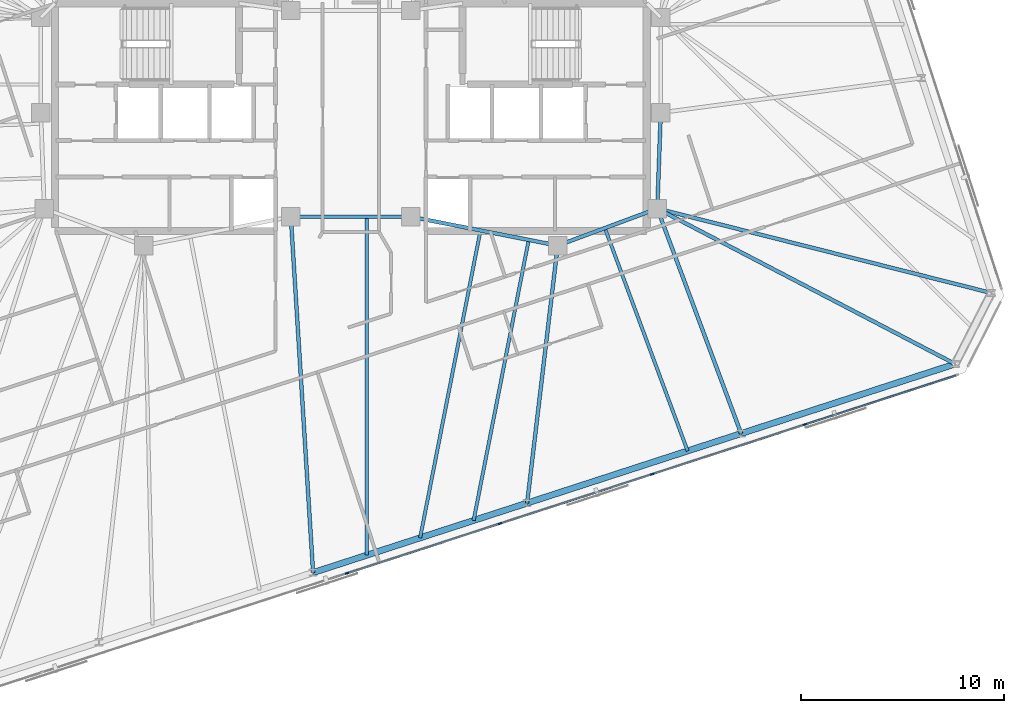
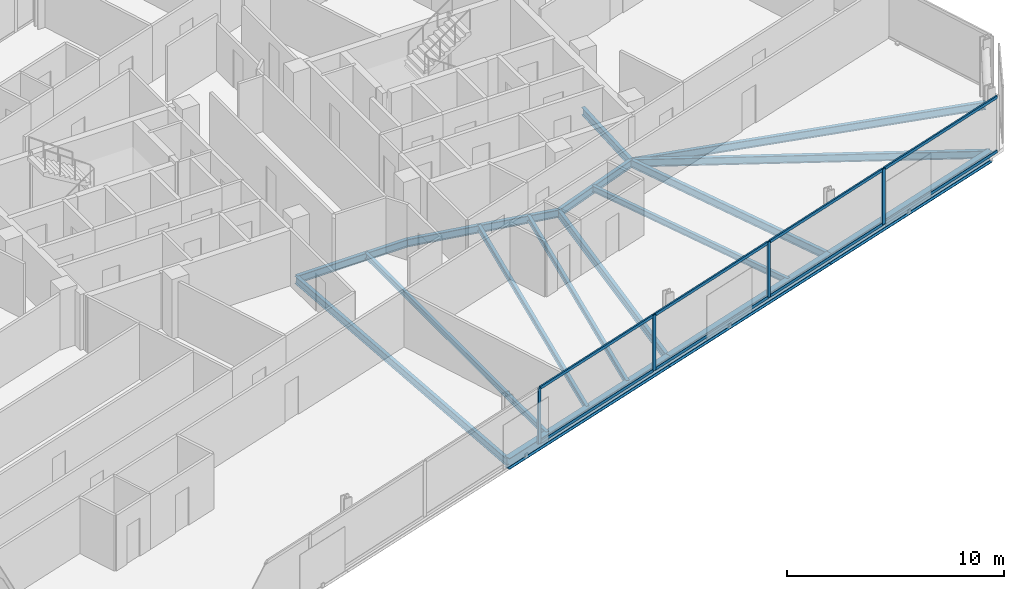
# One storey, part 7 of 19: 16 beams, 12 members, 1 element without a shape of its own.
"""IFC4 building model written with IfcOpenShell, lengths in metres."""

from ifc_helpers import new_model, si_unit, direction, frame, origin, origin_2d, place, context, subcontext, project, spatial, rectangle, i_section, extrude, material, material_profile, profile_set, type_object, element, aggregate, save


model = new_model("IFC4")

# Units and contexts
model_context = context("Model", 3, precision=1e-05, world=origin(), true_north=direction((0.0, 1.0)))
body_context = subcontext(model_context, "Body", "Model", "MODEL_VIEW")
ifc_project = project(units=[si_unit("LENGTHUNIT", "METRE"), si_unit("AREAUNIT", "SQUARE_METRE"), si_unit("VOLUMEUNIT", "CUBIC_METRE"), si_unit("PLANEANGLEUNIT", "RADIAN"), si_unit("MASSUNIT", "GRAM", prefix="KILO")], contexts=[model_context])

# Site, building, storey
site_placement = place(None, origin())
site = spatial("IfcSite", under=ifc_project, at=site_placement, CompositionType="ELEMENT")
building_placement = place(site_placement, origin())
building = spatial("IfcBuilding", under=site, at=building_placement, Name="Menara Jurai Vektor", CompositionType="ELEMENT")
storey_placement = place(building_placement, frame((0.0, 0.0, 231.0)))
storey = spatial("IfcBuildingStorey", under=building, at=storey_placement, Name="L61", CompositionType="ELEMENT", Elevation=231.0)

# Curtain wall, members
ifc_material_1 = material(Name="Anodised Pale Aluminium & Low-E Double Glazing", Category="aluminium")
curtain_wall_type = type_object("IfcCurtainWallType", Name="CW-BLK4", PredefinedType="NOTDEFINED", material=ifc_material_1)
curtain_wall_placement = place(storey_placement, origin())
curtain_wall = element("IfcCurtainWall", 1, at=curtain_wall_placement, inside=storey, type_object=curtain_wall_type, Name="Unitised Curtain Wall L61 F07", PredefinedType="NOTDEFINED")
ifc_material_2 = material(Name="Anodised Pale Aluminium Mullion", Category="aluminium")
ifc_material_profile_1 = material_profile(ifc_material_2, rectangle(XDim=0.080078125, YDim=0.18994140625, at=origin_2d()), Name="ALU MUL 80x190")
ifc_profile_set_1 = profile_set([ifc_material_profile_1], Name="Anodised Pale Aluminium Mullion")
member_type_1 = type_object("IfcMemberType", Name="CW-BLK4-MUL", PredefinedType="MULLION", material=ifc_profile_set_1)
member_1_placement = place(storey_placement, frame((-0.17236328125, -22.4404296875, 0.0), z_axis=(0.0, 0.0, 1.0), x_axis=(-0.309017344167, 0.951056402641, 0.0)))
member_1 = element("IfcMember", 2, at=member_1_placement, type_object=member_type_1, Name="CW-04 mullion 4", PredefinedType="MULLION", context=body_context, shape_type="SweptSolid", body=[
    extrude(rectangle(XDim=0.080078125, YDim=0.18994140625, at=origin_2d()), origin(), (0.0, 0.0, 1.0), 3.125),
])
member_2_placement = place(storey_placement, frame((7.3330078125, -20.001953125, 0.0), z_axis=(0.0, 0.0, 1.0), x_axis=(-0.309017344167, 0.951056402641, 0.0)))
member_2 = element("IfcMember", 3, at=member_2_placement, type_object=member_type_1, Name="CW-04 mullion 5", PredefinedType="MULLION", context=body_context, shape_type="SweptSolid", body=[
    extrude(rectangle(XDim=0.080078125, YDim=0.18994140625, at=origin_2d()), origin(), (0.0, 0.0, 1.0), 3.125),
])
member_3_placement = place(storey_placement, frame((14.838134765625, -17.563232421875, 0.0), z_axis=(0.0, 0.0, 1.0), x_axis=(-0.309017344167, 0.951056402641, 0.0)))
member_3 = element("IfcMember", 4, at=member_3_placement, type_object=member_type_1, Name="CW-04 mullion 6", PredefinedType="MULLION", context=body_context, shape_type="SweptSolid", body=[
    extrude(rectangle(XDim=0.080078125, YDim=0.18994140625, at=origin_2d()), origin(), (0.0, 0.0, 1.0), 3.125),
])
member_4_placement = place(storey_placement, frame((22.34326171875, -15.124755859375, 0.0), z_axis=(0.0, 0.0, 1.0), x_axis=(-0.309017344167, 0.951056402641, 0.0)))
member_4 = element("IfcMember", 5, at=member_4_placement, type_object=member_type_1, Name="CW-04 mullion 7", PredefinedType="MULLION", context=body_context, shape_type="SweptSolid", body=[
    extrude(rectangle(XDim=0.080078125, YDim=0.18994140625, at=origin_2d()), origin(), (0.0, 0.0, 1.0), 3.125),
])
ifc_material_3 = material(Name="Anodised Pale Aluminium Transom", Category="aluminium")
ifc_material_profile_2 = material_profile(ifc_material_3, rectangle(XDim=0.080078125, YDim=0.1650390625, at=origin_2d()), Name="ALU TRN 80x165")
ifc_profile_set_2 = profile_set([ifc_material_profile_2], Name="Anodised Pale Aluminium Transom")
member_type_2 = type_object("IfcMemberType", Name="CW-BLK4-TRN", PredefinedType="USERDEFINED", material=ifc_profile_set_2)
member_5_placement = place(storey_placement, frame((-0.13427734375, -22.427978515625, 0.0400390625), z_axis=(0.951059330237, 0.309008333817, 0.0), x_axis=(-0.309008333817, 0.951059330237, 0.0)))
member_5 = element("IfcMember", 6, at=member_5_placement, type_object=member_type_2, Name="CW-04 transom 4.1", ObjectType="TRANSOM", PredefinedType="USERDEFINED", context=body_context, shape_type="SweptSolid", body=[
    extrude(rectangle(XDim=0.080078125, YDim=0.1650390625, at=origin_2d()), origin(), (0.0, 0.0, 1.0), 7.8115234375),
])
member_6_placement = place(storey_placement, frame((-0.13427734375, -22.427978515625, 3.0849609375), z_axis=(0.951059330237, 0.309008333817, 0.0), x_axis=(-0.309008333817, 0.951059330237, 0.0)))
member_6 = element("IfcMember", 7, at=member_6_placement, type_object=member_type_2, Name="CW-04 transom 4.2", ObjectType="TRANSOM", PredefinedType="USERDEFINED", context=body_context, shape_type="SweptSolid", body=[
    extrude(rectangle(XDim=0.080078125, YDim=0.1650390625, at=origin_2d()), origin(), (0.0, 0.0, 1.0), 7.8115234375),
])
member_7_placement = place(storey_placement, frame((7.37109375, -19.989501953125, 0.0400390625), z_axis=(0.95105634578, 0.309017519167, 0.0), x_axis=(-0.309017519167, 0.95105634578, 0.0)))
member_7 = element("IfcMember", 8, at=member_7_placement, type_object=member_type_2, Name="CW-04 transom 5.1", ObjectType="TRANSOM", PredefinedType="USERDEFINED", context=body_context, shape_type="SweptSolid", body=[
    extrude(rectangle(XDim=0.080078125, YDim=0.1650390625, at=origin_2d()), origin(), (0.0, 0.0, 1.0), 7.811279296875),
])
member_8_placement = place(storey_placement, frame((7.37109375, -19.989501953125, 3.0849609375), z_axis=(0.95105634578, 0.309017519167, 0.0), x_axis=(-0.309017519167, 0.95105634578, 0.0)))
member_8 = element("IfcMember", 9, at=member_8_placement, type_object=member_type_2, Name="CW-04 transom 5.2", ObjectType="TRANSOM", PredefinedType="USERDEFINED", context=body_context, shape_type="SweptSolid", body=[
    extrude(rectangle(XDim=0.080078125, YDim=0.1650390625, at=origin_2d()), origin(), (0.0, 0.0, 1.0), 7.811279296875),
])
member_9_placement = place(storey_placement, frame((14.876220703125, -17.551025390625, 0.0400390625), z_axis=(0.95104715984, 0.309045789099, 0.0), x_axis=(-0.309045789099, 0.95104715984, 0.0)))
member_9 = element("IfcMember", 10, at=member_9_placement, type_object=member_type_2, Name="CW-04 transom 6.1", ObjectType="TRANSOM", PredefinedType="USERDEFINED", context=body_context, shape_type="SweptSolid", body=[
    extrude(rectangle(XDim=0.080078125, YDim=0.1650390625, at=origin_2d()), origin(), (0.0, 0.0, 1.0), 7.811279296875),
])
member_10_placement = place(storey_placement, frame((14.876220703125, -17.551025390625, 3.0849609375), z_axis=(0.95104715984, 0.309045789099, 0.0), x_axis=(-0.309045789099, 0.95104715984, 0.0)))
member_10 = element("IfcMember", 11, at=member_10_placement, type_object=member_type_2, Name="CW-04 transom 6.2", ObjectType="TRANSOM", PredefinedType="USERDEFINED", context=body_context, shape_type="SweptSolid", body=[
    extrude(rectangle(XDim=0.080078125, YDim=0.1650390625, at=origin_2d()), origin(), (0.0, 0.0, 1.0), 7.811279296875),
])
member_11_placement = place(storey_placement, frame((22.38134765625, -15.1123046875, 0.0400390625), z_axis=(0.951062230089, 0.308999408573, 0.0), x_axis=(-0.308999408573, 0.951062230089, 0.0)))
member_11 = element("IfcMember", 12, at=member_11_placement, type_object=member_type_2, Name="CW-04 transom 7.1", ObjectType="TRANSOM", PredefinedType="USERDEFINED", context=body_context, shape_type="SweptSolid", body=[
    extrude(rectangle(XDim=0.080078125, YDim=0.1650390625, at=origin_2d()), origin(), (0.0, 0.0, 1.0), 7.771484375),
])
member_12_placement = place(storey_placement, frame((22.38134765625, -15.1123046875, 3.0849609375), z_axis=(0.951062230089, 0.308999408573, 0.0), x_axis=(-0.308999408573, 0.951062230089, 0.0)))
member_12 = element("IfcMember", 13, at=member_12_placement, type_object=member_type_2, Name="CW-04 transom 7.2", ObjectType="TRANSOM", PredefinedType="USERDEFINED", context=body_context, shape_type="SweptSolid", body=[
    extrude(rectangle(XDim=0.080078125, YDim=0.1650390625, at=origin_2d()), origin(), (0.0, 0.0, 1.0), 7.771484375),
])
aggregate(curtain_wall, [member_1, member_2, member_3, member_4, member_5, member_6, member_7, member_8, member_9, member_10, member_11, member_12])

# Beams
ifc_material_4 = material(Name="Steel S355", Category="steel")
ifc_material_profile_3 = material_profile(ifc_material_4, i_section(OverallWidth=0.18505859375, OverallDepth=0.429931640625, WebThickness=0.010986328125, FlangeThickness=0.01806640625, at=origin_2d()), Name="PG 430x185x76")
ifc_profile_set_3 = profile_set([ifc_material_profile_3], Name="Steel S355")
beam_type_1 = type_object("IfcBeamType", Name="STR-BM-430", PredefinedType="BEAM", material=ifc_profile_set_3)
beam_1_placement = place(storey_placement, frame((15.080078125, -4.5, -0.43994140625), z_axis=(0.035977314146, 0.999352606874, 0.0), x_axis=(-0.999352606874, 0.035977314146, 0.0)))
element("IfcBeam", 14, at=beam_1_placement, inside=storey, type_object=beam_type_1, Name="Core Ring Header Girder L61-CHE-E2", PredefinedType="BEAM", context=body_context, shape_type="SweptSolid", body=[
    extrude(i_section(OverallWidth=0.18505859375, OverallDepth=0.429931640625, WebThickness=0.010986328125, FlangeThickness=0.01806640625, at=origin_2d()), origin(), (0.0, 0.0, 1.0), 4.72314453125),
])
beam_2_placement = place(storey_placement, frame((10.179931640625, -6.320068359375, -0.43994140625), z_axis=(0.937424400887, 0.348188874925, 0.0), x_axis=(-0.348188874925, 0.937424400887, 0.0)))
element("IfcBeam", 15, at=beam_2_placement, inside=storey, type_object=beam_type_1, Name="Core Ring Header Girder L61-CHE-S1", PredefinedType="BEAM", context=body_context, shape_type="SweptSolid", body=[
    extrude(i_section(OverallWidth=0.18505859375, OverallDepth=0.429931640625, WebThickness=0.010986328125, FlangeThickness=0.01806640625, at=origin_2d()), origin(), (0.0, 0.0, 1.0), 5.227294921875),
])
beam_3_placement = place(storey_placement, frame((2.949951171875, -4.89990234375, -0.43994140625), z_axis=(0.981249044334, -0.192744164614, 0.0), x_axis=(0.192744164614, 0.981249044334, 0.0)))
element("IfcBeam", 16, at=beam_3_placement, inside=storey, type_object=beam_type_1, Name="Core Ring Header Girder L61-CHE-S2", PredefinedType="BEAM", context=body_context, shape_type="SweptSolid", body=[
    extrude(i_section(OverallWidth=0.18505859375, OverallDepth=0.429931640625, WebThickness=0.010986328125, FlangeThickness=0.01806640625, at=origin_2d()), origin(), (0.0, 0.0, 1.0), 7.3681640625),
])
beam_4_placement = place(storey_placement, frame((-2.949951171875, -4.89990234375, -0.43994140625), z_axis=(1.0, 0.0, 0.0), x_axis=(0.0, 1.0, 0.0)))
element("IfcBeam", 17, at=beam_4_placement, inside=storey, type_object=beam_type_1, Name="Core Ring Header Girder L61-CC-1", PredefinedType="BEAM", context=body_context, shape_type="SweptSolid", body=[
    extrude(i_section(OverallWidth=0.18505859375, OverallDepth=0.429931640625, WebThickness=0.010986328125, FlangeThickness=0.01806640625, at=origin_2d()), origin(), (0.0, 0.0, 1.0), 5.89990234375),
])
beam_5_placement = place(storey_placement, frame((-1.854248046875, -22.40869140625, -0.43994140625), z_axis=(-0.062457995419, 0.998047593458, 0.0), x_axis=(-0.998047593458, -0.062457995419, 0.0)))
element("IfcBeam", 18, at=beam_5_placement, inside=storey, type_object=beam_type_1, Name="Radial Floor Girder L61-S3", PredefinedType="BEAM", context=body_context, shape_type="SweptSolid", body=[
    extrude(i_section(OverallWidth=0.18505859375, OverallDepth=0.429931640625, WebThickness=0.010986328125, FlangeThickness=0.01806640625, at=origin_2d()), origin(), (0.0, 0.0, 1.0), 17.54296875),
])
beam_6_placement = place(storey_placement, frame((8.675048828125, -18.987548828125, -0.43994140625), z_axis=(0.117969360513, 0.99301723549, 0.0), x_axis=(-0.99301723549, 0.117969360513, 0.0)))
element("IfcBeam", 19, at=beam_6_placement, inside=storey, type_object=beam_type_1, Name="Radial Floor Girder L61-S4", PredefinedType="BEAM", context=body_context, shape_type="SweptSolid", body=[
    extrude(i_section(OverallWidth=0.18505859375, OverallDepth=0.429931640625, WebThickness=0.010986328125, FlangeThickness=0.01806640625, at=origin_2d()), origin(), (0.0, 0.0, 1.0), 12.756591796875),
])
beam_7_placement = place(storey_placement, frame((19.204345703125, -15.56640625, -0.43994140625), z_axis=(-0.349219718154, 0.93704086808, 0.0), x_axis=(-0.93704086808, -0.349219718154, 0.0)))
element("IfcBeam", 20, at=beam_7_placement, inside=storey, type_object=beam_type_1, Name="Radial Floor Girder L61-S5", PredefinedType="BEAM", context=body_context, shape_type="SweptSolid", body=[
    extrude(i_section(OverallWidth=0.18505859375, OverallDepth=0.429931640625, WebThickness=0.010986328125, FlangeThickness=0.01806640625, at=origin_2d()), origin(), (0.0, 0.0, 1.0), 11.81005859375),
])
beam_8_placement = place(storey_placement, frame((29.7333984375, -12.14501953125, -0.43994140625), z_axis=(-0.886589587068, 0.462556919851, 0.0), x_axis=(-0.462556919851, -0.886589587068, 0.0)))
element("IfcBeam", 21, at=beam_8_placement, inside=storey, type_object=beam_type_1, Name="Radial Floor Girder L61-S6", PredefinedType="BEAM", context=body_context, shape_type="SweptSolid", body=[
    extrude(i_section(OverallWidth=0.18505859375, OverallDepth=0.429931640625, WebThickness=0.010986328125, FlangeThickness=0.01806640625, at=origin_2d()), origin(), (0.0, 0.0, 1.0), 16.52783203125),
])
beam_9_placement = place(storey_placement, frame((31.513427734375, -8.652099609375, -0.43994140625), z_axis=(-0.969531956771, 0.244964864418, 0.0), x_axis=(-0.244964864418, -0.969531956771, 0.0)))
element("IfcBeam", 22, at=beam_9_placement, inside=storey, type_object=beam_type_1, Name="Radial Floor Girder L61-E1", PredefinedType="BEAM", context=body_context, shape_type="SweptSolid", body=[
    extrude(i_section(OverallWidth=0.18505859375, OverallDepth=0.429931640625, WebThickness=0.010986328125, FlangeThickness=0.01806640625, at=origin_2d()), origin(), (0.0, 0.0, 1.0), 16.94970703125),
])
ifc_material_profile_4 = material_profile(ifc_material_4, i_section(OverallWidth=0.1650390625, OverallDepth=0.330078125, WebThickness=0.009033203125, FlangeThickness=0.013916015625, at=origin_2d()), Name="PG 330x165x46")
ifc_profile_set_4 = profile_set([ifc_material_profile_4], Name="Steel S355")
beam_type_2 = type_object("IfcBeamType", Name="STR-JS-330", PredefinedType="JOIST", material=ifc_profile_set_4)
beam_10_placement = place(storey_placement, frame((0.778076171875, -21.55322265625, -0.389892578125), z_axis=(0.0, 1.0, 0.0), x_axis=(-1.0, 0.0, 0.0)))
element("IfcBeam", 23, at=beam_10_placement, inside=storey, type_object=beam_type_2, Name="Radial Secondary Floor Joist L61-JS05", PredefinedType="JOIST", context=body_context, shape_type="SweptSolid", body=[
    extrude(i_section(OverallWidth=0.1650390625, OverallDepth=0.330078125, WebThickness=0.009033203125, FlangeThickness=0.013916015625, at=origin_2d()), origin(), (0.0, 0.0, 1.0), 16.6533203125),
])
beam_11_placement = place(storey_placement, frame((3.410400390625, -20.697998046875, -0.389892578125), z_axis=(0.192721610081, 0.981253474393, 0.0), x_axis=(-0.981253474393, 0.192721610081, 0.0)))
element("IfcBeam", 24, at=beam_11_placement, inside=storey, type_object=beam_type_2, Name="Radial Secondary Floor Joist L61-JS06", PredefinedType="JOIST", context=body_context, shape_type="SweptSolid", body=[
    extrude(i_section(OverallWidth=0.1650390625, OverallDepth=0.330078125, WebThickness=0.009033203125, FlangeThickness=0.013916015625, at=origin_2d()), origin(), (0.0, 0.0, 1.0), 15.413330078125),
])
beam_12_placement = place(storey_placement, frame((6.042724609375, -19.8427734375, -0.389892578125), z_axis=(0.192720535629, 0.981253685418, 0.0), x_axis=(-0.981253685418, 0.192720535629, 0.0)))
element("IfcBeam", 25, at=beam_12_placement, inside=storey, type_object=beam_type_2, Name="Radial Secondary Floor Joist L61-JS07", PredefinedType="JOIST", context=body_context, shape_type="SweptSolid", body=[
    extrude(i_section(OverallWidth=0.1650390625, OverallDepth=0.330078125, WebThickness=0.009033203125, FlangeThickness=0.013916015625, at=origin_2d()), origin(), (0.0, 0.0, 1.0), 14.066650390625),
])
beam_13_placement = place(storey_placement, frame((16.572021484375, -16.421630859375, -0.389892578125), z_axis=(-0.348179715909, 0.937427802782, 0.0), x_axis=(-0.937427802782, -0.348179715909, 0.0)))
element("IfcBeam", 26, at=beam_13_placement, inside=storey, type_object=beam_type_2, Name="Radial Secondary Floor Joist L61-JS08", PredefinedType="JOIST", context=body_context, shape_type="SweptSolid", body=[
    extrude(i_section(OverallWidth=0.1650390625, OverallDepth=0.330078125, WebThickness=0.009033203125, FlangeThickness=0.013916015625, at=origin_2d()), origin(), (0.0, 0.0, 1.0), 11.695068359375),
])
ifc_material_profile_5 = material_profile(ifc_material_4, i_section(OverallWidth=0.306884765625, OverallDepth=0.6201171875, WebThickness=0.013916015625, FlangeThickness=0.02392578125, FilletRadius=0.01708984375, at=origin_2d()), Name="UKB 610x305x179")
ifc_profile_set_5 = profile_set([ifc_material_profile_5], Name="Steel S355")
beam_type_3 = type_object("IfcBeamType", Name="STR-SP-610", PredefinedType="SPANDREL", material=ifc_profile_set_5)
for number, where, z_axis, x_axis, name in (
    (27, (-1.854248046875, -22.40869140625, -0.534912109375), (0.951057401967, 0.309014268544, 0.0), (-0.309014268544, 0.951057401967, 0.0), "Exoskeleton Spandrel Beam L61-03"),
    (28, (8.675048828125, -18.987548828125, -0.534912109375), (0.951057401967, 0.309014268544, 0.0), (-0.309014268544, 0.951057401967, 0.0), "Exoskeleton Spandrel Beam L61-04"),
    (29, (19.204345703125, -15.56640625, -0.534912109375), (0.951048814879, 0.309040695892, 0.0), (-0.309040695892, 0.951048814879, 0.0), "Exoskeleton Spandrel Beam L61-05"),
):
    element("IfcBeam", number, at=place(storey_placement, frame(where, z_axis=z_axis, x_axis=x_axis)), inside=storey, type_object=beam_type_3, Name=name, PredefinedType="SPANDREL", context=body_context, shape_type="SweptSolid", body=[
        extrude(i_section(OverallWidth=0.306884765625, OverallDepth=0.6201171875, WebThickness=0.013916015625, FlangeThickness=0.02392578125, FilletRadius=0.01708984375, at=origin_2d()), origin(), (0.0, 0.0, 1.0), 11.071044921875),
    ])

save(model, "model.ifc")
